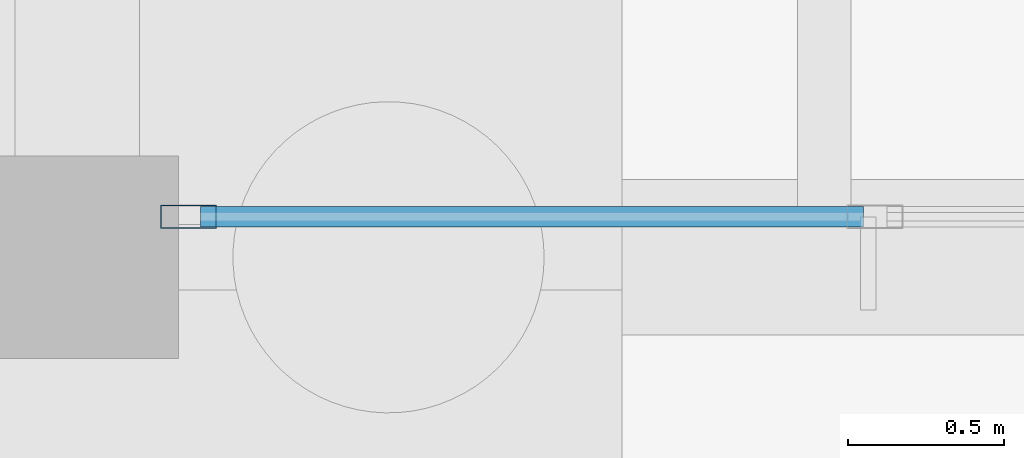
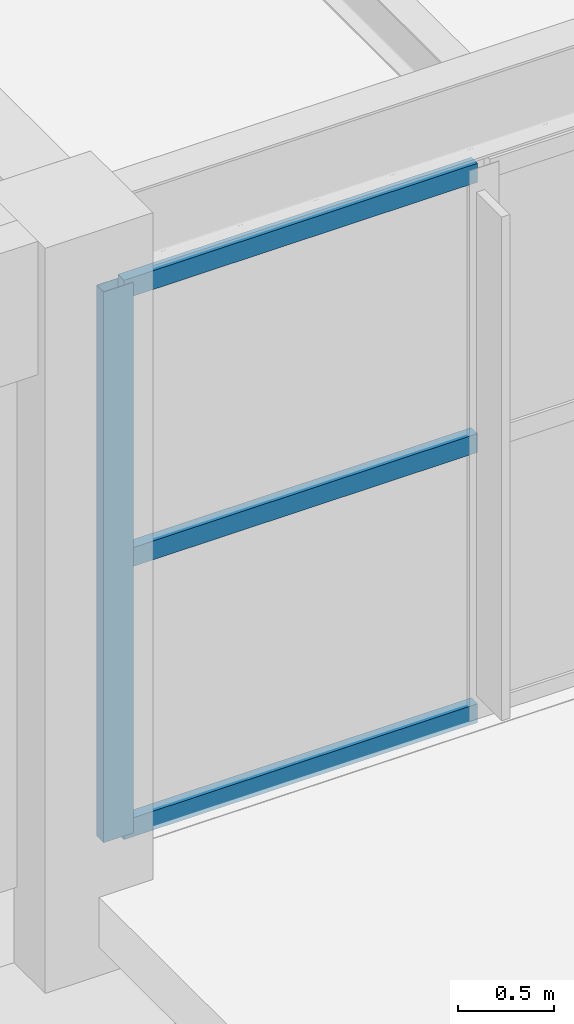
# One storey, part 7 of 28: 4 members, 1 element without a shape of its own.
"""IFC4 building model written with IfcOpenShell, lengths in metres."""

from ifc_helpers import new_model, si_unit, direction, frame, origin, origin_2d, place, context, subcontext, project, spatial, hollow_rectangle, extrude, material, material_profile, profile_set, type_object, element, aggregate, save


model = new_model("IFC4")

# Units and contexts
model_context = context("Model", 3, precision=1e-05, world=origin(), true_north=direction((0.0, 1.0)))
body_context = subcontext(model_context, "Body", "Model", "MODEL_VIEW")
ifc_project = project(units=[si_unit("LENGTHUNIT", "METRE"), si_unit("AREAUNIT", "SQUARE_METRE"), si_unit("VOLUMEUNIT", "CUBIC_METRE"), si_unit("PLANEANGLEUNIT", "RADIAN"), si_unit("MASSUNIT", "GRAM", prefix="KILO")], contexts=[model_context])

# Site, building, storey
site_placement = place(None, origin())
site = spatial("IfcSite", under=ifc_project, at=site_placement, CompositionType="ELEMENT")
building_placement = place(site_placement, origin())
building = spatial("IfcBuilding", under=site, at=building_placement, Name="Bramvelor Terrace Health Centre", CompositionType="ELEMENT")
storey_placement = place(building_placement, frame((0.0, 0.0, -4.5)))
storey = spatial("IfcBuildingStorey", under=building, at=storey_placement, Name="B1", CompositionType="ELEMENT", Elevation=-4.5)

# Curtain wall, members
ifc_material_1 = material(Name="Anodized aluminium and double low-E glass", Category="aluminium")
curtain_wall_type = type_object("IfcCurtainWallType", Name="CW-SYS-01", PredefinedType="NOTDEFINED", material=ifc_material_1)
curtain_wall_placement = place(storey_placement, origin())
curtain_wall = element("IfcCurtainWall", 1, at=curtain_wall_placement, inside=storey, type_object=curtain_wall_type, Name="B1 Unitized Curtain Wall 3", PredefinedType="NOTDEFINED")
ifc_material_2 = material(Name="Anodized aluminium 6063-T6", Category="aluminium")
ifc_material_profile_1 = material_profile(ifc_material_2, hollow_rectangle(XDim=0.074951171875, YDim=0.179931640625, WallThickness=0.00341796875, at=origin_2d()), Name="ALU-MUL 75x180x3.5")
ifc_profile_set_1 = profile_set([ifc_material_profile_1], Name="Anodized aluminium 6063-T6")
member_type_1 = type_object("IfcMemberType", Name="CW-MUL-65x180", PredefinedType="MULLION", material=ifc_profile_set_1)
member_1_placement = place(storey_placement, frame((29.157470703125, 50.530029296875, 0.0), z_axis=(0.0, 0.0, 1.0), x_axis=(0.0, -1.0, 0.0)))
member_1 = element("IfcMember", 2, at=member_1_placement, type_object=member_type_1, Name="CW-01 mullion 4", PredefinedType="MULLION", context=body_context, shape_type="SweptSolid", body=[
    extrude(hollow_rectangle(XDim=0.074951171875, YDim=0.179931640625, WallThickness=0.00341796875, at=origin_2d()), origin(), (0.0, 0.0, 1.0), 3.510009765625),
])
ifc_material_3 = material(Name="Anodized aluminium 6063-T6", Category="aluminium")
ifc_material_profile_2 = material_profile(ifc_material_3, hollow_rectangle(XDim=0.06494140625, YDim=0.1201171875, WallThickness=0.0029296875, at=origin_2d()), Name="ALU-TRN 65x120x3.0")
ifc_profile_set_2 = profile_set([ifc_material_profile_2], Name="Anodized aluminium 6063-T6")
member_type_2 = type_object("IfcMemberType", Name="CW-TRN-65x150", PredefinedType="USERDEFINED", material=ifc_profile_set_2)
member_2_placement = place(storey_placement, frame((31.326171875, 50.530029296875, 0.032470703125), z_axis=(-1.0, 0.0, 0.0), x_axis=(0.0, -1.0, 0.0)))
member_2 = element("IfcMember", 3, at=member_2_placement, type_object=member_type_2, Name="CW-01 transom 3.1", ObjectType="TRANSOM", PredefinedType="USERDEFINED", context=body_context, shape_type="SweptSolid", body=[
    extrude(hollow_rectangle(XDim=0.06494140625, YDim=0.1201171875, WallThickness=0.0029296875, at=origin_2d()), origin(), (0.0, 0.0, 1.0), 2.131103515625),
])
member_3_placement = place(storey_placement, frame((31.326171875, 50.530029296875, 1.7548828125), z_axis=(-1.0, 0.0, 0.0), x_axis=(0.0, -1.0, 0.0)))
member_3 = element("IfcMember", 4, at=member_3_placement, type_object=member_type_2, Name="CW-01 transom 3.2", ObjectType="TRANSOM", PredefinedType="USERDEFINED", context=body_context, shape_type="SweptSolid", body=[
    extrude(hollow_rectangle(XDim=0.06494140625, YDim=0.1201171875, WallThickness=0.0029296875, at=origin_2d()), origin(), (0.0, 0.0, 1.0), 2.131103515625),
])
member_4_placement = place(storey_placement, frame((31.326171875, 50.530029296875, 3.4775390625), z_axis=(-1.0, 0.0, 0.0), x_axis=(0.0, -1.0, 0.0)))
member_4 = element("IfcMember", 5, at=member_4_placement, type_object=member_type_2, Name="CW-01 transom 3.3", ObjectType="TRANSOM", PredefinedType="USERDEFINED", context=body_context, shape_type="SweptSolid", body=[
    extrude(hollow_rectangle(XDim=0.06494140625, YDim=0.1201171875, WallThickness=0.0029296875, at=origin_2d()), origin(), (0.0, 0.0, 1.0), 2.131103515625),
])
aggregate(curtain_wall, [member_1, member_2, member_3, member_4])

save(model, "model.ifc")
